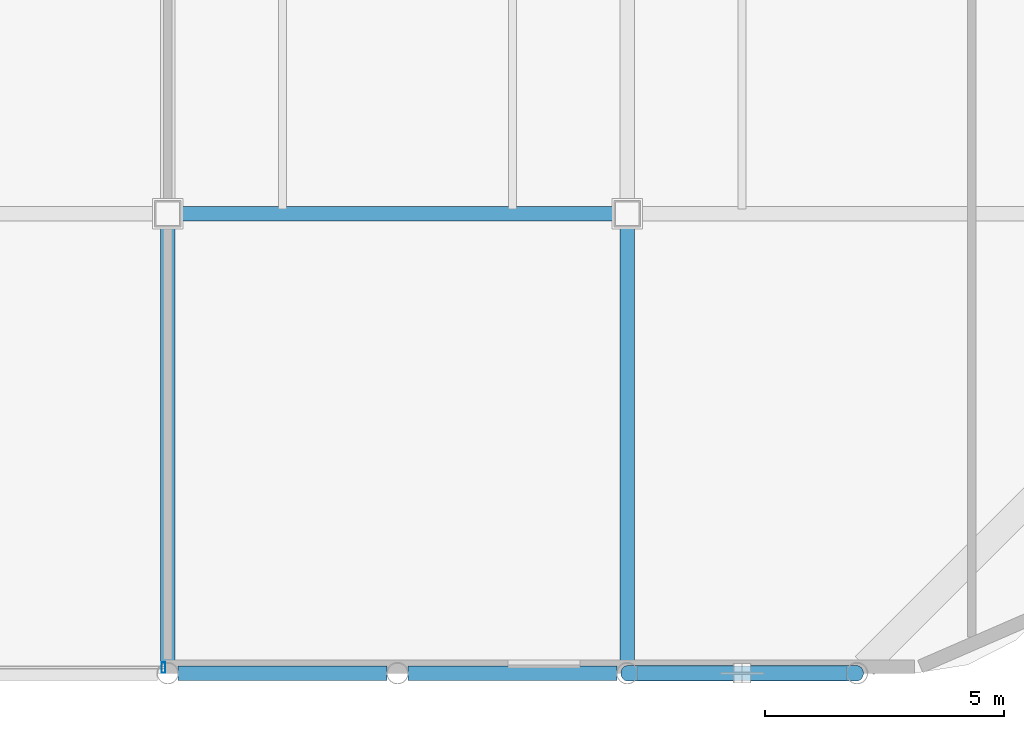
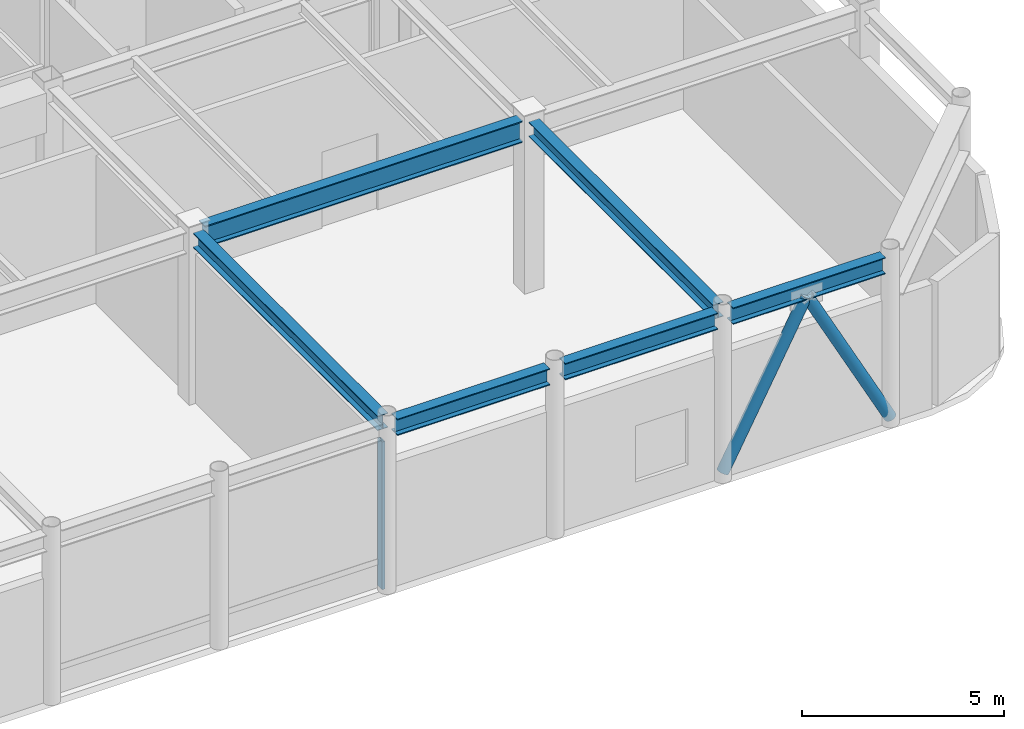
# One storey, part 9 of 21: 6 beams, 3 members, 1 element without a shape of its own.
"""IFC4 building model written with IfcOpenShell, lengths in metres."""

from ifc_helpers import new_model, si_unit, direction, frame, origin, origin_2d, place, context, subcontext, project, spatial, hollow_rectangle, hollow_circle, i_section, extrude, material, layer, layer_set, material_profile, profile_set, type_object, element, aggregate, save


model = new_model("IFC4")

# Units and contexts
model_context = context("Model", 3, precision=1e-05, world=origin(), true_north=direction((0.0, 1.0)))
body_context = subcontext(model_context, "Body", "Model", "MODEL_VIEW")
ifc_project = project(units=[si_unit("LENGTHUNIT", "METRE"), si_unit("AREAUNIT", "SQUARE_METRE"), si_unit("VOLUMEUNIT", "CUBIC_METRE"), si_unit("PLANEANGLEUNIT", "RADIAN"), si_unit("MASSUNIT", "GRAM", prefix="KILO")], contexts=[model_context])

# Site, building, storey
site_placement = place(None, origin())
site = spatial("IfcSite", under=ifc_project, at=site_placement, CompositionType="ELEMENT")
building_placement = place(site_placement, origin())
building = spatial("IfcBuilding", under=site, at=building_placement, Name="Kallvorn Hotel Tower", CompositionType="ELEMENT")
storey_placement = place(building_placement, frame((0.0, 0.0, 300.60009765625)))
storey = spatial("IfcBuildingStorey", under=building, at=storey_placement, Name="L74", CompositionType="ELEMENT", Elevation=300.60009765625)

# Beams
ifc_material_1 = material(Name="Structural steel S355JR", Category="steel")
ifc_material_profile_1 = material_profile(ifc_material_1, i_section(OverallWidth=0.300048828125, OverallDepth=0.43994140625, WebThickness=0.011474609375, FlangeThickness=0.02099609375, at=origin_2d()), Name="HE 450 A")
ifc_profile_set_1 = profile_set([ifc_material_profile_1], Name="Structural steel S355JR")
beam_type_1 = type_object("IfcBeamType", Name="BM_HE450A", PredefinedType="BEAM", material=ifc_profile_set_1)
for number, where, z_axis, x_axis, name in (
    (1, (4.800048828125, -23.79638671875, 4.93994140625), (0.0, 1.0, 0.0), (-1.0, 0.0, 0.0), "ROOF Primary Y-Girder 40"),
    (2, (14.39990234375, -23.79638671875, 4.93994140625), (0.0, 1.0, 0.0), (-1.0, 0.0, 0.0), "ROOF Primary Y-Girder 43"),
):
    element("IfcBeam", number, at=place(storey_placement, frame(where, z_axis=z_axis, x_axis=x_axis)), inside=storey, type_object=beam_type_1, Name=name, PredefinedType="BEAM", context=body_context, shape_type="SweptSolid", body=[
        extrude(i_section(OverallWidth=0.300048828125, OverallDepth=0.43994140625, WebThickness=0.011474609375, FlangeThickness=0.02099609375, at=origin_2d()), origin(), (0.0, 0.0, 1.0), 9.146484375),
    ])
ifc_material_2 = material(Name="Structural steel S355JR", Category="steel")
ifc_material_profile_2 = material_profile(ifc_material_2, i_section(OverallWidth=0.300048828125, OverallDepth=0.5, WebThickness=0.014404296875, FlangeThickness=0.028076171875, at=origin_2d()), Name="HE 500 B")
ifc_profile_set_2 = profile_set([ifc_material_profile_2], Name="Structural steel S355JR")
beam_type_2 = type_object("IfcBeamType", Name="BM_HE500B", PredefinedType="SPANDREL", material=ifc_profile_set_2)
beam_1_placement = place(storey_placement, frame((5.0185546875, -24.0, 4.909912109375), z_axis=(1.0, 0.0, 0.0), x_axis=(0.0, 1.0, 0.0)))
element("IfcBeam", 3, at=beam_1_placement, inside=storey, type_object=beam_type_2, Name="ROOF Perimeter Spandrel 60", PredefinedType="SPANDREL", context=body_context, shape_type="SweptSolid", body=[
    extrude(i_section(OverallWidth=0.300048828125, OverallDepth=0.5, WebThickness=0.014404296875, FlangeThickness=0.028076171875, at=origin_2d()), origin(), (0.0, 0.0, 1.0), 4.363037109375),
])
beam_2_placement = place(storey_placement, frame((9.818603515625, -24.0, 4.909912109375), z_axis=(1.0, 0.0, 0.0), x_axis=(0.0, 1.0, 0.0)))
element("IfcBeam", 4, at=beam_2_placement, inside=storey, type_object=beam_type_2, Name="ROOF Perimeter Spandrel 61", PredefinedType="SPANDREL", context=body_context, shape_type="SweptSolid", body=[
    extrude(i_section(OverallWidth=0.300048828125, OverallDepth=0.5, WebThickness=0.014404296875, FlangeThickness=0.028076171875, at=origin_2d()), origin(), (0.0, 0.0, 1.0), 4.36279296875),
])
beam_3_placement = place(storey_placement, frame((14.618408203125, -24.0, 4.909912109375), z_axis=(1.0, 0.0, 0.0), x_axis=(0.0, 1.0, 0.0)))
element("IfcBeam", 5, at=beam_3_placement, inside=storey, type_object=beam_type_2, Name="ROOF Perimeter Spandrel 62", PredefinedType="SPANDREL", context=body_context, shape_type="SweptSolid", body=[
    extrude(i_section(OverallWidth=0.300048828125, OverallDepth=0.5, WebThickness=0.014404296875, FlangeThickness=0.028076171875, at=origin_2d()), origin(), (0.0, 0.0, 1.0), 4.363037109375),
])
ifc_material_3 = material(Name="Structural steel S355JR", Category="steel")
ifc_material_profile_3 = material_profile(ifc_material_3, i_section(OverallWidth=0.300048828125, OverallDepth=0.64990234375, WebThickness=0.01611328125, FlangeThickness=0.031005859375, at=origin_2d()), Name="HE 650 B")
ifc_profile_set_3 = profile_set([ifc_material_profile_3], Name="Structural steel S355JR")
beam_type_3 = type_object("IfcBeamType", Name="BM_HE650B", PredefinedType="BEAM", material=ifc_profile_set_3)
beam_4_placement = place(storey_placement, frame((5.050048828125, -14.39990234375, 4.8349609375), z_axis=(1.0, 0.0, 0.0), x_axis=(0.0, 1.0, 0.0)))
element("IfcBeam", 6, at=beam_4_placement, inside=storey, type_object=beam_type_3, Name="ROOF Primary X-Girder 05", PredefinedType="BEAM", context=body_context, shape_type="SweptSolid", body=[
    extrude(i_section(OverallWidth=0.300048828125, OverallDepth=0.64990234375, WebThickness=0.01611328125, FlangeThickness=0.031005859375, at=origin_2d()), origin(), (0.0, 0.0, 1.0), 9.099853515625),
])

# Curtain wall, member
ifc_material_4 = material(Name="Thermally broken black-anodised aluminium AA 6063-T6", Category="aluminium")
ifc_layer = layer(ifc_material_4, 0.25)
ifc_layer_set = layer_set([ifc_layer], Name="CW_SYS_6_SUMMIT_OBS")
curtain_wall_type = type_object("IfcCurtainWallType", Name="CW_SYS_6_SUMMIT_OBS", PredefinedType="USERDEFINED", material=ifc_layer_set)
curtain_wall_placement = place(storey_placement, origin())
curtain_wall = element("IfcCurtainWall", 7, at=curtain_wall_placement, inside=storey, type_object=curtain_wall_type, Name="L74 Dark-Glass Curtain Wall CW-L74-SC", ObjectType="UNITISED CURTAIN WALL", PredefinedType="USERDEFINED")
ifc_material_5 = material(Name="Thermally broken black-anodised aluminium AA 6063-T6", Category="aluminium")
ifc_material_profile_4 = material_profile(ifc_material_5, hollow_rectangle(XDim=0.080078125, YDim=0.219970703125, WallThickness=0.0048828125, at=origin_2d()), Name="MUL 220x80")
ifc_profile_set_4 = profile_set([ifc_material_profile_4], Name="Thermally broken black-anodised aluminium AA 6063-T6")
member_type_1 = type_object("IfcMemberType", Name="CW_MULLION_220x80", PredefinedType="MULLION", material=ifc_profile_set_4)
member_placement = place(storey_placement, frame((4.7099609375, -23.8798828125, 0.02001953125), z_axis=(0.0, 0.0, 1.0), x_axis=(1.0, 0.0, 0.0)))
member = element("IfcMember", 8, at=member_placement, type_object=member_type_1, Name="CW-L74-SC Mullion 02", PredefinedType="MULLION", context=body_context, shape_type="SweptSolid", body=[
    extrude(hollow_rectangle(XDim=0.080078125, YDim=0.219970703125, WallThickness=0.0048828125, at=origin_2d()), origin(), (0.0, 0.0, 1.0), 4.469970703125),
])
aggregate(curtain_wall, [member])

# Members
ifc_material_6 = material(Name="Structural steel S355J2H", Category="steel")
ifc_material_profile_5 = material_profile(ifc_material_6, hollow_circle(Radius=0.161865234375, WallThickness=0.012451171875, at=origin_2d()), Name="CHS 323.9x12.5")
ifc_profile_set_5 = profile_set([ifc_material_profile_5], Name="Structural steel S355J2H")
member_type_2 = type_object("IfcMemberType", Name="MBR_EXO_CHS323", PredefinedType="BRACE", material=ifc_profile_set_5)
for number, where, z_axis, x_axis, name in (
    (9, (14.409423828125, -24.0, 0.197509765625), (0.468947795809, 0.0, 0.883225885493), (0.0, 1.0, 0.0), "L74 Exoskeleton K-Brace S2A"),
    (10, (19.190673828125, -24.0, 0.197509765625), (-0.468985303054, 0.0, 0.883205970043), (0.0, -1.0, 0.0), "L74 Exoskeleton K-Brace S2B"),
):
    element("IfcMember", number, at=place(storey_placement, frame(where, z_axis=z_axis, x_axis=x_axis)), inside=storey, type_object=member_type_2, Name=name, PredefinedType="BRACE", context=body_context, shape_type="SweptSolid", body=[
        extrude(hollow_circle(Radius=0.161865234375, WallThickness=0.012451171875, at=origin_2d()), origin(), (0.0, 0.0, 1.0), 5.07763671875),
    ])

save(model, "model.ifc")
